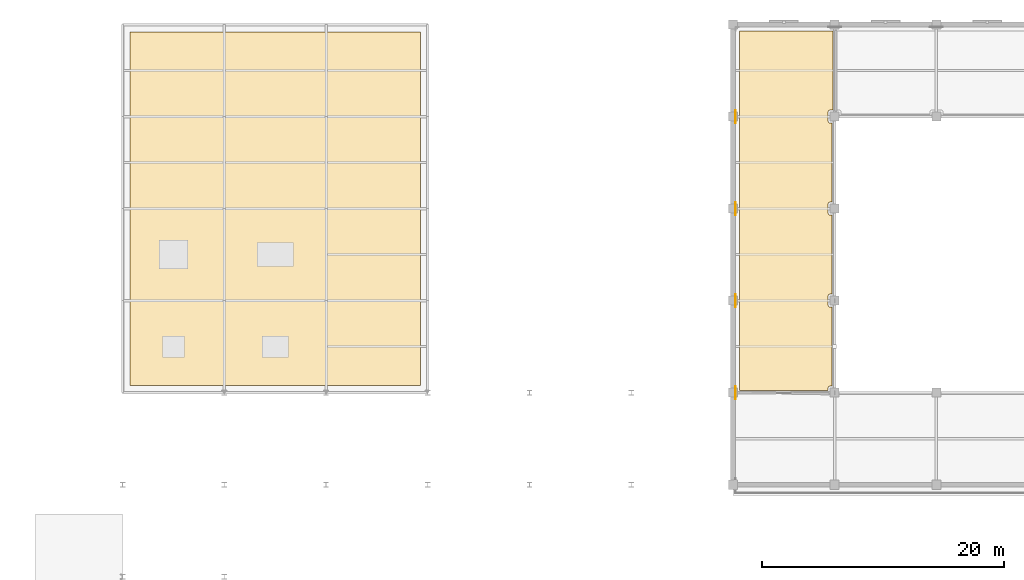
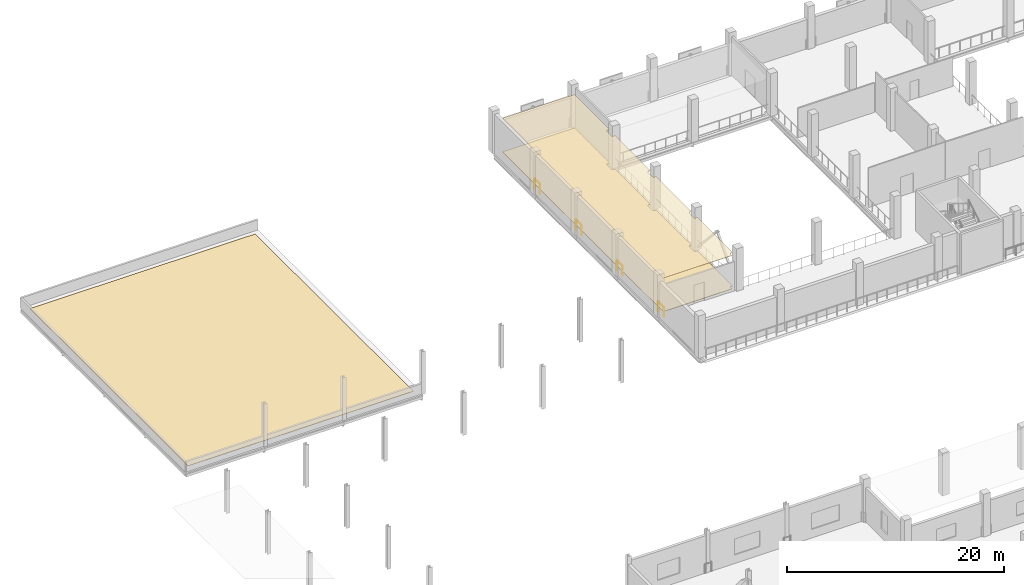
# One storey, part 43 of 51: 4 railings, 3 coverings.
"""IFC4 building model written with IfcOpenShell, lengths in metres."""

from ifc_helpers import new_model, si_unit, direction, frame, origin, origin_2d, place, context, subcontext, project, spatial, polyline, circle, outline, extrude, material, layer, layer_set, type_object, element, save


model = new_model("IFC4")

# Units and contexts
model_context = context("Model", 3, precision=1e-05, world=origin(), true_north=direction((0.0, 1.0)))
body_context = subcontext(model_context, "Body", "Model", "MODEL_VIEW")
ifc_project = project(units=[si_unit("LENGTHUNIT", "METRE"), si_unit("AREAUNIT", "SQUARE_METRE"), si_unit("VOLUMEUNIT", "CUBIC_METRE"), si_unit("PLANEANGLEUNIT", "RADIAN"), si_unit("MASSUNIT", "GRAM", prefix="KILO")], contexts=[model_context])

# Site, building, storey
site_placement = place(None, origin())
site = spatial("IfcSite", under=ifc_project, at=site_placement, CompositionType="ELEMENT")
building_placement = place(site_placement, origin())
building = spatial("IfcBuilding", under=site, at=building_placement, Name="Zuvorla Pavilion Media Centre", CompositionType="ELEMENT")
storey_placement = place(building_placement, frame((0.0, 0.0, 4.800048828125)))
storey = spatial("IfcBuildingStorey", under=building, at=storey_placement, Name="L01", CompositionType="ELEMENT", Elevation=4.800048828125)

# Coverings
ifc_material_1 = material(Name="Perforated gypsum acoustic studio ceiling")
ifc_layer_1 = layer(ifc_material_1, 0.0400390625)
ifc_layer_set_1 = layer_set([ifc_layer_1], Name="Perforated gypsum acoustic studio ceiling")
covering_type_1 = type_object("IfcCoveringType", Name="COV-CLG-ACOUST", PredefinedType="CEILING", material=ifc_layer_set_1)
covering_1_placement = place(storey_placement, frame((0.0, 0.0, 3.780029296875)))
element("IfcCovering", 1, at=covering_1_placement, inside=storey, type_object=covering_type_1, Name="L01 acoustic ceiling 2", PredefinedType="CEILING", context=body_context, shape_type="SweptSolid", body=[
    extrude(outline(polyline([(75.0400390625, 119.449951171875), (75.0400390625, 112.93505859375), (74.81494140625, 112.93505859375), (74.80029296875, 112.934326171875), (74.78564453125, 112.93212890625), (74.771484375, 112.928466796875), (74.757568359375, 112.923583984375), (74.744384765625, 112.917236328125), (74.731689453125, 112.90966796875), (74.7197265625, 112.90087890625), (74.708984375, 112.89111328125), (74.698974609375, 112.880126953125), (74.690185546875, 112.868408203125), (74.6826171875, 112.855712890625), (74.676513671875, 112.84228515625), (74.67138671875, 112.82861328125), (74.66796875, 112.814208984375), (74.665771484375, 112.7998046875), (74.6650390625, 112.784912109375), (74.6650390625, 112.014892578125), (74.665771484375, 112.000244140625), (74.66796875, 111.985595703125), (74.67138671875, 111.971435546875), (74.676513671875, 111.95751953125), (74.6826171875, 111.9443359375), (74.690185546875, 111.931640625), (74.698974609375, 111.919921875), (74.708984375, 111.908935546875), (74.7197265625, 111.89892578125), (74.731689453125, 111.890380859375), (74.744384765625, 111.8828125), (74.757568359375, 111.87646484375), (74.771484375, 111.87158203125), (74.78564453125, 111.867919921875), (74.80029296875, 111.86572265625), (74.81494140625, 111.864990234375), (74.969970703125, 111.864990234375), (74.969970703125, 105.3349609375), (74.81494140625, 105.3349609375), (74.80029296875, 105.334228515625), (74.78564453125, 105.33203125), (74.771484375, 105.32861328125), (74.757568359375, 105.323486328125), (74.744384765625, 105.3173828125), (74.731689453125, 105.309814453125), (74.7197265625, 105.301025390625), (74.708984375, 105.291015625), (74.698974609375, 105.2802734375), (74.690185546875, 105.268310546875), (74.6826171875, 105.255615234375), (74.676513671875, 105.242431640625), (74.67138671875, 105.228515625), (74.66796875, 105.21435546875), (74.665771484375, 105.19970703125), (74.6650390625, 105.18505859375), (74.6650390625, 104.4150390625), (74.665771484375, 104.400390625), (74.66796875, 104.3857421875), (74.67138671875, 104.37158203125), (74.676513671875, 104.357666015625), (74.6826171875, 104.34423828125), (74.690185546875, 104.331787109375), (74.698974609375, 104.31982421875), (74.708984375, 104.308837890625), (74.7197265625, 104.299072265625), (74.731689453125, 104.290283203125), (74.744384765625, 104.28271484375), (74.757568359375, 104.2763671875), (74.771484375, 104.271484375), (74.78564453125, 104.267822265625), (74.80029296875, 104.265625), (74.81494140625, 104.264892578125), (74.969970703125, 104.264892578125), (74.969970703125, 97.735107421875), (74.81494140625, 97.735107421875), (74.80029296875, 97.734375), (74.78564453125, 97.732177734375), (74.771484375, 97.728515625), (74.757568359375, 97.7236328125), (74.744384765625, 97.71728515625), (74.731689453125, 97.709716796875), (74.7197265625, 97.700927734375), (74.708984375, 97.691162109375), (74.698974609375, 97.68017578125), (74.690185546875, 97.668212890625), (74.6826171875, 97.65576171875), (74.676513671875, 97.642333984375), (74.67138671875, 97.62841796875), (74.66796875, 97.6142578125), (74.665771484375, 97.599609375), (74.6650390625, 97.5849609375), (74.6650390625, 96.81494140625), (74.665771484375, 96.80029296875), (74.66796875, 96.78564453125), (74.67138671875, 96.771484375), (74.676513671875, 96.757568359375), (74.6826171875, 96.744384765625), (74.690185546875, 96.731689453125), (74.698974609375, 96.7197265625), (74.708984375, 96.708984375), (74.7197265625, 96.698974609375), (74.731689453125, 96.690185546875), (74.744384765625, 96.6826171875), (74.757568359375, 96.676513671875), (74.771484375, 96.67138671875), (74.78564453125, 96.66796875), (74.80029296875, 96.665771484375), (74.81494140625, 96.6650390625), (74.969970703125, 96.6650390625), (74.969970703125, 90.135009765625), (74.81494140625, 90.135009765625), (74.80029296875, 90.13427734375), (74.78564453125, 90.132080078125), (74.771484375, 90.12841796875), (74.757568359375, 90.12353515625), (74.744384765625, 90.1171875), (74.731689453125, 90.109619140625), (74.7197265625, 90.10107421875), (74.708984375, 90.091064453125), (74.698974609375, 90.080078125), (74.690185546875, 90.068359375), (74.6826171875, 90.0556640625), (74.676513671875, 90.04248046875), (74.67138671875, 90.028564453125), (74.66796875, 90.014404296875), (74.665771484375, 89.999755859375), (74.6650390625, 89.985107421875), (74.6650390625, 89.760009765625), (67.35009765625, 89.760009765625), (67.35009765625, 119.449951171875), (75.0400390625, 119.449951171875)])), origin(), (0.0, 0.0, 1.0), 0.0400390625),
])
ifc_material_2 = material(Name="Floating resilient acoustic hardwood studio floor", Category="wood")
ifc_layer_2 = layer(ifc_material_2, 0.050048828125)
ifc_layer_set_2 = layer_set([ifc_layer_2], Name="Floating resilient acoustic hardwood studio floor")
covering_type_2 = type_object("IfcCoveringType", Name="COV-FLR-ACOUST", PredefinedType="FLOORING", material=ifc_layer_set_2)
covering_2_placement = place(storey_placement, origin())
element("IfcCovering", 2, at=covering_2_placement, inside=storey, type_object=covering_type_2, Name="L01 acoustic studio floor 6", PredefinedType="FLOORING", context=body_context, shape_type="SweptSolid", body=[
    extrude(outline(polyline([(75.0400390625, 119.449951171875), (75.0400390625, 112.93505859375), (74.81494140625, 112.93505859375), (74.80029296875, 112.934326171875), (74.78564453125, 112.93212890625), (74.771484375, 112.928466796875), (74.757568359375, 112.923583984375), (74.744384765625, 112.917236328125), (74.731689453125, 112.90966796875), (74.7197265625, 112.90087890625), (74.708984375, 112.89111328125), (74.698974609375, 112.880126953125), (74.690185546875, 112.868408203125), (74.6826171875, 112.855712890625), (74.676513671875, 112.84228515625), (74.67138671875, 112.82861328125), (74.66796875, 112.814208984375), (74.665771484375, 112.7998046875), (74.6650390625, 112.784912109375), (74.6650390625, 112.014892578125), (74.665771484375, 112.000244140625), (74.66796875, 111.985595703125), (74.67138671875, 111.971435546875), (74.676513671875, 111.95751953125), (74.6826171875, 111.9443359375), (74.690185546875, 111.931640625), (74.698974609375, 111.919921875), (74.708984375, 111.908935546875), (74.7197265625, 111.89892578125), (74.731689453125, 111.890380859375), (74.744384765625, 111.8828125), (74.757568359375, 111.87646484375), (74.771484375, 111.87158203125), (74.78564453125, 111.867919921875), (74.80029296875, 111.86572265625), (74.81494140625, 111.864990234375), (74.969970703125, 111.864990234375), (74.969970703125, 105.3349609375), (74.81494140625, 105.3349609375), (74.80029296875, 105.334228515625), (74.78564453125, 105.33203125), (74.771484375, 105.32861328125), (74.757568359375, 105.323486328125), (74.744384765625, 105.3173828125), (74.731689453125, 105.309814453125), (74.7197265625, 105.301025390625), (74.708984375, 105.291015625), (74.698974609375, 105.2802734375), (74.690185546875, 105.268310546875), (74.6826171875, 105.255615234375), (74.676513671875, 105.242431640625), (74.67138671875, 105.228515625), (74.66796875, 105.21435546875), (74.665771484375, 105.19970703125), (74.6650390625, 105.18505859375), (74.6650390625, 104.4150390625), (74.665771484375, 104.400390625), (74.66796875, 104.3857421875), (74.67138671875, 104.37158203125), (74.676513671875, 104.357666015625), (74.6826171875, 104.34423828125), (74.690185546875, 104.331787109375), (74.698974609375, 104.31982421875), (74.708984375, 104.308837890625), (74.7197265625, 104.299072265625), (74.731689453125, 104.290283203125), (74.744384765625, 104.28271484375), (74.757568359375, 104.2763671875), (74.771484375, 104.271484375), (74.78564453125, 104.267822265625), (74.80029296875, 104.265625), (74.81494140625, 104.264892578125), (74.969970703125, 104.264892578125), (74.969970703125, 97.735107421875), (74.81494140625, 97.735107421875), (74.80029296875, 97.734375), (74.78564453125, 97.732177734375), (74.771484375, 97.728515625), (74.757568359375, 97.7236328125), (74.744384765625, 97.71728515625), (74.731689453125, 97.709716796875), (74.7197265625, 97.700927734375), (74.708984375, 97.691162109375), (74.698974609375, 97.68017578125), (74.690185546875, 97.668212890625), (74.6826171875, 97.65576171875), (74.676513671875, 97.642333984375), (74.67138671875, 97.62841796875), (74.66796875, 97.6142578125), (74.665771484375, 97.599609375), (74.6650390625, 97.5849609375), (74.6650390625, 96.81494140625), (74.665771484375, 96.80029296875), (74.66796875, 96.78564453125), (74.67138671875, 96.771484375), (74.676513671875, 96.757568359375), (74.6826171875, 96.744384765625), (74.690185546875, 96.731689453125), (74.698974609375, 96.7197265625), (74.708984375, 96.708984375), (74.7197265625, 96.698974609375), (74.731689453125, 96.690185546875), (74.744384765625, 96.6826171875), (74.757568359375, 96.676513671875), (74.771484375, 96.67138671875), (74.78564453125, 96.66796875), (74.80029296875, 96.665771484375), (74.81494140625, 96.6650390625), (74.969970703125, 96.6650390625), (74.969970703125, 90.135009765625), (74.81494140625, 90.135009765625), (74.80029296875, 90.13427734375), (74.78564453125, 90.132080078125), (74.771484375, 90.12841796875), (74.757568359375, 90.12353515625), (74.744384765625, 90.1171875), (74.731689453125, 90.109619140625), (74.7197265625, 90.10107421875), (74.708984375, 90.091064453125), (74.698974609375, 90.080078125), (74.690185546875, 90.068359375), (74.6826171875, 90.0556640625), (74.676513671875, 90.04248046875), (74.67138671875, 90.028564453125), (74.66796875, 90.014404296875), (74.665771484375, 89.999755859375), (74.6650390625, 89.985107421875), (74.6650390625, 89.760009765625), (67.35009765625, 89.760009765625), (67.35009765625, 119.449951171875), (75.0400390625, 119.449951171875)])), origin(), (0.0, 0.0, 1.0), 0.050048828125),
])
ifc_material_3 = material(Name="Standing seam zinc-aluminium tropical roofing membrane", Category="aluminium")
ifc_layer_3 = layer(ifc_material_3, 0.050048828125)
ifc_layer_set_3 = layer_set([ifc_layer_3], Name="Standing seam zinc-aluminium tropical roofing membrane")
covering_type_3 = type_object("IfcCoveringType", Name="COV-ROOF-MEM", PredefinedType="ROOFING", material=ifc_layer_set_3)
covering_3_placement = place(storey_placement, origin())
element("IfcCovering", 3, at=covering_3_placement, inside=storey, type_object=covering_type_3, Name="L01 roofing membrane COV-RF-L01NW", PredefinedType="ROOFING", context=body_context, shape_type="SweptSolid", body=[
    extrude(outline(polyline([(17.0, 90.199951171875), (41.0, 90.199951171875), (41.0, 119.39990234375), (17.0, 119.39990234375), (17.0, 90.199951171875)])), origin(), (0.0, 0.0, 1.0), 0.050048828125),
])

# Railings
ifc_material_4 = material(Name="Powder-coated steel balustrade guard", Category="steel")
railing_type = type_object("IfcRailingType", Name="RL-INT-GRD", PredefinedType="BALUSTRADE", material=ifc_material_4)
for number, where, name in (
    (4, (67.02001953125, 89.0849609375, 0.0), "L01 slab edge guard 46"),
    (5, (67.02001953125, 96.68505859375, 0.0), "L01 slab edge guard 47"),
    (6, (67.02001953125, 104.284912109375, 0.0), "L01 slab edge guard 48"),
    (7, (67.02001953125, 111.885009765625, 0.0), "L01 slab edge guard 49"),
):
    element("IfcRailing", number, at=place(storey_placement, frame(where)), inside=storey, type_object=railing_type, Name=name, PredefinedType="BALUSTRADE", context=body_context, shape_type="SweptSolid", body=[
        extrude(circle(Radius=0.02392578125, at=origin_2d()), frame((0.0, 0.02880859375, 1.09619140625), z_axis=(0.0, 1.0, 0.0), x_axis=(-1.0, 0.0, 0.0)), (0.0, 0.0, 1.0), 0.972412109375),
        extrude(circle(Radius=0.02099609375, at=origin_2d()), origin(), (0.0, 0.0, 1.0), 1.070068359375),
        extrude(circle(Radius=0.02099609375, at=origin_2d()), frame((0.0, 1.030029296875, 0.0)), (0.0, 0.0, 1.0), 1.070068359375),
    ])

save(model, "model.ifc")
